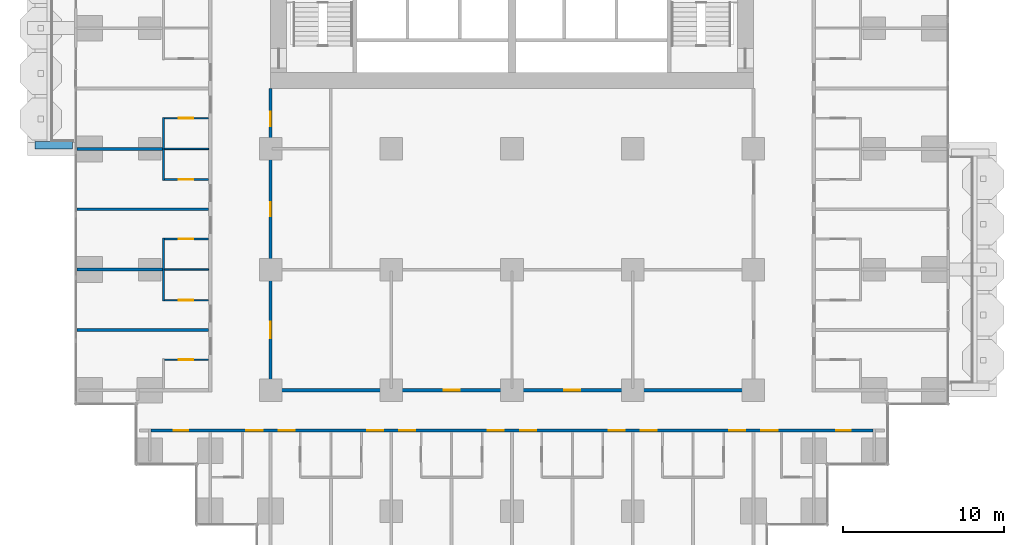
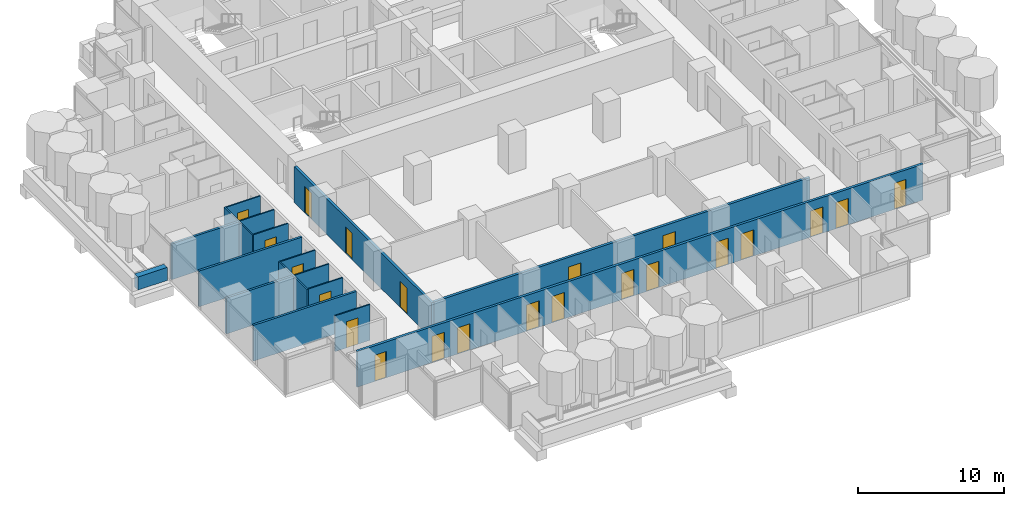
# One storey, part 10 of 18: 22 doors, 17 walls, 22 openings.
"""IFC4 building model written with IfcOpenShell, lengths in metres."""

from ifc_helpers import new_model, si_unit, direction, frame, frame_2d, origin, place, context, subcontext, project, spatial, rectangle, extrude, material, layer, layer_set, type_object, element, fill, save


model = new_model("IFC4")

# Units and contexts
model_context = context("Model", 3, precision=1e-05, world=origin(), true_north=direction((0.0, 1.0)))
body_context = subcontext(model_context, "Body", "Model", "MODEL_VIEW")
ifc_project = project(units=[si_unit("LENGTHUNIT", "METRE"), si_unit("AREAUNIT", "SQUARE_METRE"), si_unit("VOLUMEUNIT", "CUBIC_METRE"), si_unit("PLANEANGLEUNIT", "RADIAN"), si_unit("MASSUNIT", "GRAM", prefix="KILO")], contexts=[model_context])

# Site, building, storey
site_placement = place(None, origin())
site = spatial("IfcSite", under=ifc_project, at=site_placement, CompositionType="ELEMENT")
building_placement = place(site_placement, origin())
building = spatial("IfcBuilding", under=site, at=building_placement, Name="Pilkhan Gate Tower", CompositionType="ELEMENT")
storey_placement = place(building_placement, frame((0.0, 0.0, 42.800048828125)))
storey = spatial("IfcBuildingStorey", under=building, at=storey_placement, Name="L07", CompositionType="ELEMENT", Elevation=42.800048828125)

# Walls
ifc_material_1 = material(Name="Dense blockwork", Category="masonry")
ifc_layer_1 = layer(ifc_material_1, 0.175048828125)
ifc_layer_set_1 = layer_set([ifc_layer_1], Name="Acoustic party wall PW175")
wall_type_1 = type_object("IfcWallType", Name="Acoustic party wall PW175", PredefinedType="PARTITIONING", material=ifc_layer_set_1)
wall_1_placement = place(storey_placement, frame((47.985107421875, 56.25, 0.0), z_axis=(0.0, 0.0, 1.0), x_axis=(1.0, 0.0, 0.0)))
element("IfcWall", 1, at=wall_1_placement, inside=storey, type_object=wall_type_1, Name="Partition L07", PredefinedType="PARTITIONING", context=body_context, shape_type="SweptSolid", body=[
    extrude(rectangle(XDim=8.164794921875, YDim=0.175048828125, at=frame_2d((4.08251953125, 0.0))), origin(), (0.0, 0.0, 1.0), 3.0),
])
wall_2_placement = place(storey_placement, frame((47.985107421875, 60.0, 0.0), z_axis=(0.0, 0.0, 1.0), x_axis=(1.0, 0.0, 0.0)))
element("IfcWall", 2, at=wall_2_placement, inside=storey, type_object=wall_type_1, Name="Partition L07", PredefinedType="PARTITIONING", context=body_context, shape_type="SweptSolid", body=[
    extrude(rectangle(XDim=5.31494140625, YDim=0.175048828125, at=frame_2d((2.657470703125, 0.0))), origin(), (0.0, 0.0, 1.0), 3.0),
])
wall_3_placement = place(storey_placement, frame((47.985107421875, 63.75, 0.0), z_axis=(0.0, 0.0, 1.0), x_axis=(1.0, 0.0, 0.0)))
element("IfcWall", 3, at=wall_3_placement, inside=storey, type_object=wall_type_1, Name="Partition L07", PredefinedType="PARTITIONING", context=body_context, shape_type="SweptSolid", body=[
    extrude(rectangle(XDim=8.164794921875, YDim=0.175048828125, at=frame_2d((4.08251953125, 0.0))), origin(), (0.0, 0.0, 1.0), 3.0),
])
wall_4_placement = place(storey_placement, frame((47.985107421875, 67.5, 0.0), z_axis=(0.0, 0.0, 1.0), x_axis=(1.0, 0.0, 0.0)))
element("IfcWall", 4, at=wall_4_placement, inside=storey, type_object=wall_type_1, Name="Partition L07", PredefinedType="PARTITIONING", context=body_context, shape_type="SweptSolid", body=[
    extrude(rectangle(XDim=5.31494140625, YDim=0.175048828125, at=frame_2d((2.657470703125, 0.0))), origin(), (0.0, 0.0, 1.0), 3.0),
])
ifc_material_2 = material(Name="Board-marked Concrete C40/50", Category="concrete")
ifc_layer_2 = layer(ifc_material_2, 0.449951171875)
ifc_layer_set_2 = layer_set([ifc_layer_2], Name="Balcony planter lip BL450")
wall_type_2 = type_object("IfcWallType", Name="Balcony planter lip BL450", PredefinedType="USERDEFINED", material=ifc_layer_set_2)
wall_5_placement = place(storey_placement, frame((47.679931640625, 67.72509765625, 0.0), z_axis=(0.0, 0.0, 1.0), x_axis=(-1.0, 0.0, 0.0)))
element("IfcWall", 5, at=wall_5_placement, inside=storey, type_object=wall_type_2, Name="Balcony planter L07 W", ObjectType="BALCONY PLANTER", PredefinedType="USERDEFINED", context=body_context, shape_type="SweptSolid", body=[
    extrude(rectangle(XDim=2.329833984375, YDim=0.449951171875, at=frame_2d((1.1650390625, 0.0))), origin(), (0.0, 0.0, 1.0), 1.099853515625),
])

# Wall, openings, doors
ifc_layer_3 = layer(ifc_material_1, 0.199951171875)
ifc_layer_set_3 = layer_set([ifc_layer_3], Name="Corridor wall FW200")
wall_type_3 = type_object("IfcWallType", Name="Corridor wall FW200", PredefinedType="PARTITIONING", material=ifc_layer_set_3)
wall_6_placement = place(storey_placement, frame((52.574951171875, 50.0, 0.0), z_axis=(0.0, 0.0, 1.0), x_axis=(1.0, 0.0, 0.0)))
wall_6 = element("IfcWall", 6, at=wall_6_placement, inside=storey, type_object=wall_type_3, Name="Partition L07", PredefinedType="PARTITIONING", context=body_context, shape_type="SweptSolid", body=[
    extrude(rectangle(XDim=44.85009765625, YDim=0.199951171875, at=frame_2d((22.425048828125, 0.0))), origin(), (0.0, 0.0, 1.0), 3.0),
])
opening_1_placement = place(wall_6_placement, frame((5.925048828125, 0.0, 0.0)))
opening_1 = element("IfcOpeningElement", 7, at=opening_1_placement, cuts=wall_6, Name="Opening L07-06", PredefinedType="OPENING", context=body_context, shape_type="SweptSolid", body=[
    extrude(rectangle(XDim=1.0, YDim=2.199951171875, at=frame_2d((0.5, 1.10009765625))), frame((0.0, 0.10986328125, 0.0), z_axis=(0.0, -1.0, 0.0), x_axis=(1.0, 0.0, 0.0)), (0.0, 0.0, 1.0), 0.219970703125),
])
opening_2_placement = place(wall_6_placement, frame((7.925048828125, 0.0, 0.0)))
opening_2 = element("IfcOpeningElement", 8, at=opening_2_placement, cuts=wall_6, Name="Opening L07-08", PredefinedType="OPENING", context=body_context, shape_type="SweptSolid", body=[
    extrude(rectangle(XDim=1.0, YDim=2.199951171875, at=frame_2d((0.5, 1.10009765625))), frame((0.0, 0.10986328125, 0.0), z_axis=(0.0, -1.0, 0.0), x_axis=(1.0, 0.0, 0.0)), (0.0, 0.0, 1.0), 0.219970703125),
])
opening_3_placement = place(wall_6_placement, frame((13.425048828125, 0.0, 0.0)))
opening_3 = element("IfcOpeningElement", 9, at=opening_3_placement, cuts=wall_6, Name="Opening L07-10", PredefinedType="OPENING", context=body_context, shape_type="SweptSolid", body=[
    extrude(rectangle(XDim=1.0, YDim=2.199951171875, at=frame_2d((0.5, 1.10009765625))), frame((0.0, 0.10986328125, 0.0), z_axis=(0.0, -1.0, 0.0), x_axis=(1.0, 0.0, 0.0)), (0.0, 0.0, 1.0), 0.219970703125),
])
opening_4_placement = place(wall_6_placement, frame((15.425048828125, 0.0, 0.0)))
opening_4 = element("IfcOpeningElement", 10, at=opening_4_placement, cuts=wall_6, Name="Opening L07-12", PredefinedType="OPENING", context=body_context, shape_type="SweptSolid", body=[
    extrude(rectangle(XDim=1.0, YDim=2.199951171875, at=frame_2d((0.5, 1.10009765625))), frame((0.0, 0.10986328125, 0.0), z_axis=(0.0, -1.0, 0.0), x_axis=(1.0, 0.0, 0.0)), (0.0, 0.0, 1.0), 0.219970703125),
])
opening_5_placement = place(wall_6_placement, frame((20.925048828125, 0.0, 0.0)))
opening_5 = element("IfcOpeningElement", 11, at=opening_5_placement, cuts=wall_6, Name="Opening L07-14", PredefinedType="OPENING", context=body_context, shape_type="SweptSolid", body=[
    extrude(rectangle(XDim=1.0, YDim=2.199951171875, at=frame_2d((0.5, 1.10009765625))), frame((0.0, 0.10986328125, 0.0), z_axis=(0.0, -1.0, 0.0), x_axis=(1.0, 0.0, 0.0)), (0.0, 0.0, 1.0), 0.219970703125),
])
opening_6_placement = place(wall_6_placement, frame((22.925048828125, 0.0, 0.0)))
opening_6 = element("IfcOpeningElement", 12, at=opening_6_placement, cuts=wall_6, Name="Opening L07-16", PredefinedType="OPENING", context=body_context, shape_type="SweptSolid", body=[
    extrude(rectangle(XDim=1.0, YDim=2.199951171875, at=frame_2d((0.5, 1.10009765625))), frame((0.0, 0.10986328125, 0.0), z_axis=(0.0, -1.0, 0.0), x_axis=(1.0, 0.0, 0.0)), (0.0, 0.0, 1.0), 0.219970703125),
])
opening_7_placement = place(wall_6_placement, frame((28.425048828125, 0.0, 0.0)))
opening_7 = element("IfcOpeningElement", 13, at=opening_7_placement, cuts=wall_6, Name="Opening L07-18", PredefinedType="OPENING", context=body_context, shape_type="SweptSolid", body=[
    extrude(rectangle(XDim=1.0, YDim=2.199951171875, at=frame_2d((0.5, 1.10009765625))), frame((0.0, 0.10986328125, 0.0), z_axis=(0.0, -1.0, 0.0), x_axis=(1.0, 0.0, 0.0)), (0.0, 0.0, 1.0), 0.219970703125),
])
opening_8_placement = place(wall_6_placement, frame((30.425048828125, 0.0, 0.0)))
opening_8 = element("IfcOpeningElement", 14, at=opening_8_placement, cuts=wall_6, Name="Opening L07-20", PredefinedType="OPENING", context=body_context, shape_type="SweptSolid", body=[
    extrude(rectangle(XDim=1.0, YDim=2.199951171875, at=frame_2d((0.5, 1.10009765625))), frame((0.0, 0.10986328125, 0.0), z_axis=(0.0, -1.0, 0.0), x_axis=(1.0, 0.0, 0.0)), (0.0, 0.0, 1.0), 0.219970703125),
])
opening_9_placement = place(wall_6_placement, frame((35.925048828125, 0.0, 0.0)))
opening_9 = element("IfcOpeningElement", 15, at=opening_9_placement, cuts=wall_6, Name="Opening L07-22", PredefinedType="OPENING", context=body_context, shape_type="SweptSolid", body=[
    extrude(rectangle(XDim=1.0, YDim=2.199951171875, at=frame_2d((0.5, 1.10009765625))), frame((0.0, 0.10986328125, 0.0), z_axis=(0.0, -1.0, 0.0), x_axis=(1.0, 0.0, 0.0)), (0.0, 0.0, 1.0), 0.219970703125),
])
opening_10_placement = place(wall_6_placement, frame((37.925048828125, 0.0, 0.0)))
opening_10 = element("IfcOpeningElement", 16, at=opening_10_placement, cuts=wall_6, Name="Opening L07-24", PredefinedType="OPENING", context=body_context, shape_type="SweptSolid", body=[
    extrude(rectangle(XDim=1.0, YDim=2.199951171875, at=frame_2d((0.5, 1.10009765625))), frame((0.0, 0.10986328125, 0.0), z_axis=(0.0, -1.0, 0.0), x_axis=(1.0, 0.0, 0.0)), (0.0, 0.0, 1.0), 0.219970703125),
])
opening_11_placement = place(wall_6_placement, frame((1.39990234375, 0.0, 0.0)))
opening_11 = element("IfcOpeningElement", 17, at=opening_11_placement, cuts=wall_6, Name="Opening L07-63", PredefinedType="OPENING", context=body_context, shape_type="SweptSolid", body=[
    extrude(rectangle(XDim=0.89990234375, YDim=2.199951171875, at=frame_2d((0.449951171875, 1.10009765625))), frame((0.0, 0.10986328125, 0.0), z_axis=(0.0, -1.0, 0.0), x_axis=(1.0, 0.0, 0.0)), (0.0, 0.0, 1.0), 0.219970703125),
])
opening_12_placement = place(wall_6_placement, frame((42.574951171875, 0.0, 0.0)))
opening_12 = element("IfcOpeningElement", 18, at=opening_12_placement, cuts=wall_6, Name="Opening L07-64", PredefinedType="OPENING", context=body_context, shape_type="SweptSolid", body=[
    extrude(rectangle(XDim=0.89990234375, YDim=2.199951171875, at=frame_2d((0.449951171875, 1.10009765625))), frame((0.0, 0.10986328125, 0.0), z_axis=(0.0, -1.0, 0.0), x_axis=(1.0, 0.0, 0.0)), (0.0, 0.0, 1.0), 0.219970703125),
])
ifc_material_3 = material(Name="Timber flush door, 30 minute fire resisting", Category="wood")
door_type_1 = type_object("IfcDoorType", Name="Guest room door D01 1000x2200", OperationType="SINGLE_SWING_LEFT", PredefinedType="DOOR", material=ifc_material_3)
door_1_placement = place(opening_1_placement, origin())
door_1 = element("IfcDoor", 19, at=door_1_placement, inside=storey, type_object=door_type_1, Name="Guest room door", OperationType="SINGLE_SWING_LEFT", OverallHeight=2.199951171875, OverallWidth=1.0, PredefinedType="DOOR", context=body_context, shape_type="SweptSolid", body=[
    extrude(rectangle(XDim=1.0, YDim=2.199951171875, at=frame_2d((0.5, 1.10009765625))), frame((0.0, 0.02490234375, 0.0), z_axis=(0.0, -1.0, 0.0), x_axis=(1.0, 0.0, 0.0)), (0.0, 0.0, 1.0), 0.050048828125),
])
fill(opening_1, door_1)
door_2_placement = place(opening_2_placement, origin())
door_2 = element("IfcDoor", 20, at=door_2_placement, inside=storey, type_object=door_type_1, Name="Guest room door", OperationType="SINGLE_SWING_LEFT", OverallHeight=2.199951171875, OverallWidth=1.0, PredefinedType="DOOR", context=body_context, shape_type="SweptSolid", body=[
    extrude(rectangle(XDim=1.0, YDim=2.199951171875, at=frame_2d((0.5, 1.10009765625))), frame((0.0, 0.02490234375, 0.0), z_axis=(0.0, -1.0, 0.0), x_axis=(1.0, 0.0, 0.0)), (0.0, 0.0, 1.0), 0.050048828125),
])
fill(opening_2, door_2)
door_3_placement = place(opening_3_placement, origin())
door_3 = element("IfcDoor", 21, at=door_3_placement, inside=storey, type_object=door_type_1, Name="Guest room door", OperationType="SINGLE_SWING_LEFT", OverallHeight=2.199951171875, OverallWidth=1.0, PredefinedType="DOOR", context=body_context, shape_type="SweptSolid", body=[
    extrude(rectangle(XDim=1.0, YDim=2.199951171875, at=frame_2d((0.5, 1.10009765625))), frame((0.0, 0.02490234375, 0.0), z_axis=(0.0, -1.0, 0.0), x_axis=(1.0, 0.0, 0.0)), (0.0, 0.0, 1.0), 0.050048828125),
])
fill(opening_3, door_3)
door_4_placement = place(opening_4_placement, origin())
door_4 = element("IfcDoor", 22, at=door_4_placement, inside=storey, type_object=door_type_1, Name="Guest room door", OperationType="SINGLE_SWING_LEFT", OverallHeight=2.199951171875, OverallWidth=1.0, PredefinedType="DOOR", context=body_context, shape_type="SweptSolid", body=[
    extrude(rectangle(XDim=1.0, YDim=2.199951171875, at=frame_2d((0.5, 1.10009765625))), frame((0.0, 0.02490234375, 0.0), z_axis=(0.0, -1.0, 0.0), x_axis=(1.0, 0.0, 0.0)), (0.0, 0.0, 1.0), 0.050048828125),
])
fill(opening_4, door_4)
door_5_placement = place(opening_5_placement, origin())
door_5 = element("IfcDoor", 23, at=door_5_placement, inside=storey, type_object=door_type_1, Name="Guest room door", OperationType="SINGLE_SWING_LEFT", OverallHeight=2.199951171875, OverallWidth=1.0, PredefinedType="DOOR", context=body_context, shape_type="SweptSolid", body=[
    extrude(rectangle(XDim=1.0, YDim=2.199951171875, at=frame_2d((0.5, 1.10009765625))), frame((0.0, 0.02490234375, 0.0), z_axis=(0.0, -1.0, 0.0), x_axis=(1.0, 0.0, 0.0)), (0.0, 0.0, 1.0), 0.050048828125),
])
fill(opening_5, door_5)
door_6_placement = place(opening_6_placement, origin())
door_6 = element("IfcDoor", 24, at=door_6_placement, inside=storey, type_object=door_type_1, Name="Guest room door", OperationType="SINGLE_SWING_LEFT", OverallHeight=2.199951171875, OverallWidth=1.0, PredefinedType="DOOR", context=body_context, shape_type="SweptSolid", body=[
    extrude(rectangle(XDim=1.0, YDim=2.199951171875, at=frame_2d((0.5, 1.10009765625))), frame((0.0, 0.02490234375, 0.0), z_axis=(0.0, -1.0, 0.0), x_axis=(1.0, 0.0, 0.0)), (0.0, 0.0, 1.0), 0.050048828125),
])
fill(opening_6, door_6)
door_7_placement = place(opening_7_placement, origin())
door_7 = element("IfcDoor", 25, at=door_7_placement, inside=storey, type_object=door_type_1, Name="Guest room door", OperationType="SINGLE_SWING_LEFT", OverallHeight=2.199951171875, OverallWidth=1.0, PredefinedType="DOOR", context=body_context, shape_type="SweptSolid", body=[
    extrude(rectangle(XDim=1.0, YDim=2.199951171875, at=frame_2d((0.5, 1.10009765625))), frame((0.0, 0.02490234375, 0.0), z_axis=(0.0, -1.0, 0.0), x_axis=(1.0, 0.0, 0.0)), (0.0, 0.0, 1.0), 0.050048828125),
])
fill(opening_7, door_7)
door_8_placement = place(opening_8_placement, origin())
door_8 = element("IfcDoor", 26, at=door_8_placement, inside=storey, type_object=door_type_1, Name="Guest room door", OperationType="SINGLE_SWING_RIGHT", OverallHeight=2.199951171875, OverallWidth=1.0, PredefinedType="DOOR", context=body_context, shape_type="SweptSolid", body=[
    extrude(rectangle(XDim=1.0, YDim=2.199951171875, at=frame_2d((0.5, 1.10009765625))), frame((0.0, 0.02490234375, 0.0), z_axis=(0.0, -1.0, 0.0), x_axis=(1.0, 0.0, 0.0)), (0.0, 0.0, 1.0), 0.050048828125),
])
fill(opening_8, door_8)
door_9_placement = place(opening_9_placement, origin())
door_9 = element("IfcDoor", 27, at=door_9_placement, inside=storey, type_object=door_type_1, Name="Guest room door", OperationType="SINGLE_SWING_LEFT", OverallHeight=2.199951171875, OverallWidth=1.0, PredefinedType="DOOR", context=body_context, shape_type="SweptSolid", body=[
    extrude(rectangle(XDim=1.0, YDim=2.199951171875, at=frame_2d((0.5, 1.10009765625))), frame((0.0, 0.02490234375, 0.0), z_axis=(0.0, -1.0, 0.0), x_axis=(1.0, 0.0, 0.0)), (0.0, 0.0, 1.0), 0.050048828125),
])
fill(opening_9, door_9)
door_10_placement = place(opening_10_placement, origin())
door_10 = element("IfcDoor", 28, at=door_10_placement, inside=storey, type_object=door_type_1, Name="Guest room door", OperationType="SINGLE_SWING_LEFT", OverallHeight=2.199951171875, OverallWidth=1.0, PredefinedType="DOOR", context=body_context, shape_type="SweptSolid", body=[
    extrude(rectangle(XDim=1.0, YDim=2.199951171875, at=frame_2d((0.5, 1.10009765625))), frame((0.0, 0.02490234375, 0.0), z_axis=(0.0, -1.0, 0.0), x_axis=(1.0, 0.0, 0.0)), (0.0, 0.0, 1.0), 0.050048828125),
])
fill(opening_10, door_10)
ifc_material_4 = material(Name="Timber flush door, 60 minute fire resisting, self-closing", Category="wood")
door_type_2 = type_object("IfcDoorType", Name="Store door D05 900x2200", OperationType="SINGLE_SWING_LEFT", PredefinedType="DOOR", material=ifc_material_4)
door_11_placement = place(opening_11_placement, origin())
door_11 = element("IfcDoor", 29, at=door_11_placement, inside=storey, type_object=door_type_2, Name="Store door", OperationType="SINGLE_SWING_RIGHT", OverallHeight=2.199951171875, OverallWidth=0.89990234375, PredefinedType="DOOR", context=body_context, shape_type="SweptSolid", body=[
    extrude(rectangle(XDim=0.89990234375, YDim=2.199951171875, at=frame_2d((0.449951171875, 1.10009765625))), frame((0.0, 0.02490234375, 0.0), z_axis=(0.0, -1.0, 0.0), x_axis=(1.0, 0.0, 0.0)), (0.0, 0.0, 1.0), 0.050048828125),
])
fill(opening_11, door_11)
door_12_placement = place(opening_12_placement, origin())
door_12 = element("IfcDoor", 30, at=door_12_placement, inside=storey, type_object=door_type_2, Name="Store door", OperationType="SINGLE_SWING_LEFT", OverallHeight=2.199951171875, OverallWidth=0.89990234375, PredefinedType="DOOR", context=body_context, shape_type="SweptSolid", body=[
    extrude(rectangle(XDim=0.89990234375, YDim=2.199951171875, at=frame_2d((0.449951171875, 1.10009765625))), frame((0.0, 0.02490234375, 0.0), z_axis=(0.0, -1.0, 0.0), x_axis=(1.0, 0.0, 0.0)), (0.0, 0.0, 1.0), 0.050048828125),
])
fill(opening_12, door_12)

wall_7_placement = place(storey_placement, frame((60.10009765625, 52.5, 0.0), z_axis=(0.0, 0.0, 1.0), x_axis=(1.0, 0.0, 0.0)))
wall_7 = element("IfcWall", 31, at=wall_7_placement, inside=storey, type_object=wall_type_3, Name="Partition L07", PredefinedType="PARTITIONING", context=body_context, shape_type="SweptSolid", body=[
    extrude(rectangle(XDim=29.7998046875, YDim=0.199951171875, at=frame_2d((14.89990234375, 0.0))), origin(), (0.0, 0.0, 1.0), 3.0),
])
opening_13_placement = place(wall_7_placement, frame((10.64990234375, 0.0, 0.0)))
opening_13 = element("IfcOpeningElement", 32, at=opening_13_placement, cuts=wall_7, Name="Opening L07-68", PredefinedType="OPENING", context=body_context, shape_type="SweptSolid", body=[
    extrude(rectangle(XDim=1.0, YDim=2.199951171875, at=frame_2d((0.5, 1.10009765625))), frame((0.0, 0.10986328125, 0.0), z_axis=(0.0, -1.0, 0.0), x_axis=(1.0, 0.0, 0.0)), (0.0, 0.0, 1.0), 0.219970703125),
])
opening_14_placement = place(wall_7_placement, frame((18.14990234375, 0.0, 0.0)))
opening_14 = element("IfcOpeningElement", 33, at=opening_14_placement, cuts=wall_7, Name="Opening L07-69", PredefinedType="OPENING", context=body_context, shape_type="SweptSolid", body=[
    extrude(rectangle(XDim=1.0, YDim=2.199951171875, at=frame_2d((0.5, 1.10009765625))), frame((0.0, 0.10986328125, 0.0), z_axis=(0.0, -1.0, 0.0), x_axis=(1.0, 0.0, 0.0)), (0.0, 0.0, 1.0), 0.219970703125),
])
door_type_3 = type_object("IfcDoorType", Name="Room door D03 1000x2200", OperationType="SINGLE_SWING_LEFT", PredefinedType="DOOR", material=ifc_material_3)
door_13_placement = place(opening_13_placement, origin())
door_13 = element("IfcDoor", 34, at=door_13_placement, inside=storey, type_object=door_type_3, Name="Room door", OperationType="SINGLE_SWING_LEFT", OverallHeight=2.199951171875, OverallWidth=1.0, PredefinedType="DOOR", context=body_context, shape_type="SweptSolid", body=[
    extrude(rectangle(XDim=1.0, YDim=2.199951171875, at=frame_2d((0.5, 1.10009765625))), frame((0.0, 0.02490234375, 0.0), z_axis=(0.0, -1.0, 0.0), x_axis=(1.0, 0.0, 0.0)), (0.0, 0.0, 1.0), 0.050048828125),
])
fill(opening_13, door_13)
door_14_placement = place(opening_14_placement, origin())
door_14 = element("IfcDoor", 35, at=door_14_placement, inside=storey, type_object=door_type_3, Name="Room door", OperationType="SINGLE_SWING_LEFT", OverallHeight=2.199951171875, OverallWidth=1.0, PredefinedType="DOOR", context=body_context, shape_type="SweptSolid", body=[
    extrude(rectangle(XDim=1.0, YDim=2.199951171875, at=frame_2d((0.5, 1.10009765625))), frame((0.0, 0.02490234375, 0.0), z_axis=(0.0, -1.0, 0.0), x_axis=(1.0, 0.0, 0.0)), (0.0, 0.0, 1.0), 0.050048828125),
])
fill(opening_14, door_14)

wall_8_placement = place(storey_placement, frame((60.0, 52.39990234375, 0.0), z_axis=(0.0, 0.0, 1.0), x_axis=(0.0, 1.0, 0.0)))
wall_8 = element("IfcWall", 36, at=wall_8_placement, inside=storey, type_object=wall_type_3, Name="Partition L07", PredefinedType="PARTITIONING", context=body_context, shape_type="SweptSolid", body=[
    extrude(rectangle(XDim=18.840087890625, YDim=0.199951171875, at=frame_2d((9.419921875, 0.0))), origin(), (0.0, 0.0, 1.0), 3.0),
])
opening_15_placement = place(wall_8_placement, frame((3.35009765625, 0.0, 0.0)))
opening_15 = element("IfcOpeningElement", 37, at=opening_15_placement, cuts=wall_8, Name="Opening L07-67", PredefinedType="OPENING", context=body_context, shape_type="SweptSolid", body=[
    extrude(rectangle(XDim=1.0, YDim=2.199951171875, at=frame_2d((0.5, 1.10009765625))), frame((0.0, 0.10986328125, 0.0), z_axis=(0.0, -1.0, 0.0), x_axis=(1.0, 0.0, 0.0)), (0.0, 0.0, 1.0), 0.219970703125),
])
opening_16_placement = place(wall_8_placement, frame((10.89990234375, 0.0, 0.0)))
opening_16 = element("IfcOpeningElement", 38, at=opening_16_placement, cuts=wall_8, Name="Opening L07-71", PredefinedType="OPENING", context=body_context, shape_type="SweptSolid", body=[
    extrude(rectangle(XDim=0.89990234375, YDim=2.199951171875, at=frame_2d((0.449951171875, 1.10009765625))), frame((0.0, 0.10986328125, 0.0), z_axis=(0.0, -1.0, 0.0), x_axis=(1.0, 0.0, 0.0)), (0.0, 0.0, 1.0), 0.219970703125),
])
opening_17_placement = place(wall_8_placement, frame((16.5, 0.0, 0.0)))
opening_17 = element("IfcOpeningElement", 39, at=opening_17_placement, cuts=wall_8, Name="Opening L07-72", PredefinedType="OPENING", context=body_context, shape_type="SweptSolid", body=[
    extrude(rectangle(XDim=0.89990234375, YDim=2.199951171875, at=frame_2d((0.449951171875, 1.10009765625))), frame((0.0, 0.10986328125, 0.0), z_axis=(0.0, -1.0, 0.0), x_axis=(1.0, 0.0, 0.0)), (0.0, 0.0, 1.0), 0.219970703125),
])
door_15_placement = place(opening_15_placement, origin())
door_15 = element("IfcDoor", 40, at=door_15_placement, inside=storey, type_object=door_type_3, Name="Room door", OperationType="SINGLE_SWING_LEFT", OverallHeight=2.199951171875, OverallWidth=1.0, PredefinedType="DOOR", context=body_context, shape_type="SweptSolid", body=[
    extrude(rectangle(XDim=1.0, YDim=2.199951171875, at=frame_2d((0.5, 1.10009765625))), frame((0.0, 0.02490234375, 0.0), z_axis=(0.0, -1.0, 0.0), x_axis=(1.0, 0.0, 0.0)), (0.0, 0.0, 1.0), 0.050048828125),
])
fill(opening_15, door_15)
door_16_placement = place(opening_16_placement, origin())
door_16 = element("IfcDoor", 41, at=door_16_placement, inside=storey, type_object=door_type_2, Name="Store door", OperationType="SINGLE_SWING_LEFT", OverallHeight=2.199951171875, OverallWidth=0.89990234375, PredefinedType="DOOR", context=body_context, shape_type="SweptSolid", body=[
    extrude(rectangle(XDim=0.89990234375, YDim=2.199951171875, at=frame_2d((0.449951171875, 1.10009765625))), frame((0.0, 0.02490234375, 0.0), z_axis=(0.0, -1.0, 0.0), x_axis=(1.0, 0.0, 0.0)), (0.0, 0.0, 1.0), 0.050048828125),
])
fill(opening_16, door_16)
door_17_placement = place(opening_17_placement, origin())
door_17 = element("IfcDoor", 42, at=door_17_placement, inside=storey, type_object=door_type_2, Name="Store door", OperationType="SINGLE_SWING_LEFT", OverallHeight=2.199951171875, OverallWidth=0.89990234375, PredefinedType="DOOR", context=body_context, shape_type="SweptSolid", body=[
    extrude(rectangle(XDim=0.89990234375, YDim=2.199951171875, at=frame_2d((0.449951171875, 1.10009765625))), frame((0.0, 0.02490234375, 0.0), z_axis=(0.0, -1.0, 0.0), x_axis=(1.0, 0.0, 0.0)), (0.0, 0.0, 1.0), 0.050048828125),
])
fill(opening_17, door_17)

# Wall, opening, door
ifc_material_5 = material(Name="Moisture resistant board, tiled")
ifc_layer_4 = layer(ifc_material_5, 0.10009765625)
ifc_layer_set_4 = layer_set([ifc_layer_4], Name="Wet wall PW100")
wall_type_4 = type_object("IfcWallType", Name="Wet wall PW100", PredefinedType="PARTITIONING", material=ifc_layer_set_4)
wall_9_placement = place(storey_placement, frame((53.39990234375, 54.39990234375, 0.0), z_axis=(0.0, 0.0, 1.0), x_axis=(1.0, 0.0, 0.0)))
wall_9 = element("IfcWall", 43, at=wall_9_placement, inside=storey, type_object=wall_type_4, Name="Partition L07", PredefinedType="PARTITIONING", context=body_context, shape_type="SweptSolid", body=[
    extrude(rectangle(XDim=2.75, YDim=0.10009765625, at=frame_2d((1.375, 0.0))), origin(), (0.0, 0.0, 1.0), 3.0),
])
opening_18_placement = place(wall_9_placement, frame((0.89990234375, 0.0, 0.0)))
opening_18 = element("IfcOpeningElement", 44, at=opening_18_placement, cuts=wall_9, Name="Opening L07-27", PredefinedType="OPENING", context=body_context, shape_type="SweptSolid", body=[
    extrude(rectangle(XDim=0.89990234375, YDim=2.199951171875, at=frame_2d((0.449951171875, 1.10009765625))), frame((0.0, 0.06005859375, 0.0), z_axis=(0.0, -1.0, 0.0), x_axis=(1.0, 0.0, 0.0)), (0.0, 0.0, 1.0), 0.1201171875),
])
ifc_material_6 = material(Name="Timber flush door", Category="wood")
door_type_4 = type_object("IfcDoorType", Name="Bathroom door D02 900x2200", OperationType="SINGLE_SWING_RIGHT", PredefinedType="DOOR", material=ifc_material_6)
door_18_placement = place(opening_18_placement, origin())
door_18 = element("IfcDoor", 45, at=door_18_placement, inside=storey, type_object=door_type_4, Name="Bathroom door", OperationType="SINGLE_SWING_RIGHT", OverallHeight=2.199951171875, OverallWidth=0.89990234375, PredefinedType="DOOR", context=body_context, shape_type="SweptSolid", body=[
    extrude(rectangle(XDim=0.89990234375, YDim=2.199951171875, at=frame_2d((0.449951171875, 1.10009765625))), frame((0.0, 0.02490234375, 0.0), z_axis=(0.0, -1.0, 0.0), x_axis=(1.0, 0.0, 0.0)), (0.0, 0.0, 1.0), 0.050048828125),
])
fill(opening_18, door_18)

wall_10_placement = place(storey_placement, frame((53.39990234375, 58.10009765625, 0.0), z_axis=(0.0, 0.0, 1.0), x_axis=(1.0, 0.0, 0.0)))
wall_10 = element("IfcWall", 46, at=wall_10_placement, inside=storey, type_object=wall_type_4, Name="Partition L07", PredefinedType="PARTITIONING", context=body_context, shape_type="SweptSolid", body=[
    extrude(rectangle(XDim=2.75, YDim=0.10009765625, at=frame_2d((1.375, 0.0))), origin(), (0.0, 0.0, 1.0), 3.0),
])
opening_19_placement = place(wall_10_placement, frame((0.89990234375, 0.0, 0.0)))
opening_19 = element("IfcOpeningElement", 47, at=opening_19_placement, cuts=wall_10, Name="Opening L07-29", PredefinedType="OPENING", context=body_context, shape_type="SweptSolid", body=[
    extrude(rectangle(XDim=0.89990234375, YDim=2.199951171875, at=frame_2d((0.449951171875, 1.10009765625))), frame((0.0, 0.06005859375, 0.0), z_axis=(0.0, -1.0, 0.0), x_axis=(1.0, 0.0, 0.0)), (0.0, 0.0, 1.0), 0.1201171875),
])
door_19_placement = place(opening_19_placement, origin())
door_19 = element("IfcDoor", 48, at=door_19_placement, inside=storey, type_object=door_type_4, Name="Bathroom door", OperationType="SINGLE_SWING_RIGHT", OverallHeight=2.199951171875, OverallWidth=0.89990234375, PredefinedType="DOOR", context=body_context, shape_type="SweptSolid", body=[
    extrude(rectangle(XDim=0.89990234375, YDim=2.199951171875, at=frame_2d((0.449951171875, 1.10009765625))), frame((0.0, 0.02490234375, 0.0), z_axis=(0.0, -1.0, 0.0), x_axis=(1.0, 0.0, 0.0)), (0.0, 0.0, 1.0), 0.050048828125),
])
fill(opening_19, door_19)

# Wall
wall_11_placement = place(storey_placement, frame((53.39990234375, 60.0, 0.0), z_axis=(0.0, 0.0, 1.0), x_axis=(1.0, 0.0, 0.0)))
element("IfcWall", 49, at=wall_11_placement, inside=storey, type_object=wall_type_4, Name="Partition L07", PredefinedType="PARTITIONING", context=body_context, shape_type="SweptSolid", body=[
    extrude(rectangle(XDim=2.75, YDim=0.10009765625, at=frame_2d((1.375, 0.0))), origin(), (0.0, 0.0, 1.0), 3.0),
])

# Wall, opening, door
wall_12_placement = place(storey_placement, frame((53.39990234375, 61.89990234375, 0.0), z_axis=(0.0, 0.0, 1.0), x_axis=(1.0, 0.0, 0.0)))
wall_12 = element("IfcWall", 50, at=wall_12_placement, inside=storey, type_object=wall_type_4, Name="Partition L07", PredefinedType="PARTITIONING", context=body_context, shape_type="SweptSolid", body=[
    extrude(rectangle(XDim=2.75, YDim=0.10009765625, at=frame_2d((1.375, 0.0))), origin(), (0.0, 0.0, 1.0), 3.0),
])
opening_20_placement = place(wall_12_placement, frame((0.89990234375, 0.0, 0.0)))
opening_20 = element("IfcOpeningElement", 51, at=opening_20_placement, cuts=wall_12, Name="Opening L07-31", PredefinedType="OPENING", context=body_context, shape_type="SweptSolid", body=[
    extrude(rectangle(XDim=0.89990234375, YDim=2.199951171875, at=frame_2d((0.449951171875, 1.10009765625))), frame((0.0, 0.06005859375, 0.0), z_axis=(0.0, -1.0, 0.0), x_axis=(1.0, 0.0, 0.0)), (0.0, 0.0, 1.0), 0.1201171875),
])
door_20_placement = place(opening_20_placement, origin())
door_20 = element("IfcDoor", 52, at=door_20_placement, inside=storey, type_object=door_type_4, Name="Bathroom door", OperationType="SINGLE_SWING_RIGHT", OverallHeight=2.199951171875, OverallWidth=0.89990234375, PredefinedType="DOOR", context=body_context, shape_type="SweptSolid", body=[
    extrude(rectangle(XDim=0.89990234375, YDim=2.199951171875, at=frame_2d((0.449951171875, 1.10009765625))), frame((0.0, 0.02490234375, 0.0), z_axis=(0.0, -1.0, 0.0), x_axis=(1.0, 0.0, 0.0)), (0.0, 0.0, 1.0), 0.050048828125),
])
fill(opening_20, door_20)

wall_13_placement = place(storey_placement, frame((53.39990234375, 65.60009765625, 0.0), z_axis=(0.0, 0.0, 1.0), x_axis=(1.0, 0.0, 0.0)))
wall_13 = element("IfcWall", 53, at=wall_13_placement, inside=storey, type_object=wall_type_4, Name="Partition L07", PredefinedType="PARTITIONING", context=body_context, shape_type="SweptSolid", body=[
    extrude(rectangle(XDim=2.75, YDim=0.10009765625, at=frame_2d((1.375, 0.0))), origin(), (0.0, 0.0, 1.0), 3.0),
])
opening_21_placement = place(wall_13_placement, frame((0.89990234375, 0.0, 0.0)))
opening_21 = element("IfcOpeningElement", 54, at=opening_21_placement, cuts=wall_13, Name="Opening L07-33", PredefinedType="OPENING", context=body_context, shape_type="SweptSolid", body=[
    extrude(rectangle(XDim=0.89990234375, YDim=2.199951171875, at=frame_2d((0.449951171875, 1.10009765625))), frame((0.0, 0.06005859375, 0.0), z_axis=(0.0, -1.0, 0.0), x_axis=(1.0, 0.0, 0.0)), (0.0, 0.0, 1.0), 0.1201171875),
])
door_21_placement = place(opening_21_placement, origin())
door_21 = element("IfcDoor", 55, at=door_21_placement, inside=storey, type_object=door_type_4, Name="Bathroom door", OperationType="SINGLE_SWING_RIGHT", OverallHeight=2.199951171875, OverallWidth=0.89990234375, PredefinedType="DOOR", context=body_context, shape_type="SweptSolid", body=[
    extrude(rectangle(XDim=0.89990234375, YDim=2.199951171875, at=frame_2d((0.449951171875, 1.10009765625))), frame((0.0, 0.02490234375, 0.0), z_axis=(0.0, -1.0, 0.0), x_axis=(1.0, 0.0, 0.0)), (0.0, 0.0, 1.0), 0.050048828125),
])
fill(opening_21, door_21)

# Wall
wall_14_placement = place(storey_placement, frame((53.39990234375, 67.5, 0.0), z_axis=(0.0, 0.0, 1.0), x_axis=(1.0, 0.0, 0.0)))
element("IfcWall", 56, at=wall_14_placement, inside=storey, type_object=wall_type_4, Name="Partition L07", PredefinedType="PARTITIONING", context=body_context, shape_type="SweptSolid", body=[
    extrude(rectangle(XDim=2.75, YDim=0.10009765625, at=frame_2d((1.375, 0.0))), origin(), (0.0, 0.0, 1.0), 3.0),
])

# Wall, opening, door
wall_15_placement = place(storey_placement, frame((53.39990234375, 69.39990234375, 0.0), z_axis=(0.0, 0.0, 1.0), x_axis=(1.0, 0.0, 0.0)))
wall_15 = element("IfcWall", 57, at=wall_15_placement, inside=storey, type_object=wall_type_4, Name="Partition L07", PredefinedType="PARTITIONING", context=body_context, shape_type="SweptSolid", body=[
    extrude(rectangle(XDim=2.75, YDim=0.10009765625, at=frame_2d((1.375, 0.0))), origin(), (0.0, 0.0, 1.0), 3.0),
])
opening_22_placement = place(wall_15_placement, frame((0.89990234375, 0.0, 0.0)))
opening_22 = element("IfcOpeningElement", 58, at=opening_22_placement, cuts=wall_15, Name="Opening L07-35", PredefinedType="OPENING", context=body_context, shape_type="SweptSolid", body=[
    extrude(rectangle(XDim=0.89990234375, YDim=2.199951171875, at=frame_2d((0.449951171875, 1.10009765625))), frame((0.0, 0.06005859375, 0.0), z_axis=(0.0, -1.0, 0.0), x_axis=(1.0, 0.0, 0.0)), (0.0, 0.0, 1.0), 0.1201171875),
])
door_22_placement = place(opening_22_placement, origin())
door_22 = element("IfcDoor", 59, at=door_22_placement, inside=storey, type_object=door_type_4, Name="Bathroom door", OperationType="SINGLE_SWING_RIGHT", OverallHeight=2.199951171875, OverallWidth=0.89990234375, PredefinedType="DOOR", context=body_context, shape_type="SweptSolid", body=[
    extrude(rectangle(XDim=0.89990234375, YDim=2.199951171875, at=frame_2d((0.449951171875, 1.10009765625))), frame((0.0, 0.02490234375, 0.0), z_axis=(0.0, -1.0, 0.0), x_axis=(1.0, 0.0, 0.0)), (0.0, 0.0, 1.0), 0.050048828125),
])
fill(opening_22, door_22)

# Walls
for number, where, z_axis, x_axis, name in (
    (60, (53.35009765625, 58.050048828125, 0.0), (0.0, 0.0, 1.0), (0.0, 1.0, 0.0), "Partition L07"),
    (61, (53.35009765625, 65.550048828125, 0.0), (0.0, 0.0, 1.0), (0.0, 1.0, 0.0), "Partition L07"),
):
    element("IfcWall", number, at=place(storey_placement, frame(where, z_axis=z_axis, x_axis=x_axis)), inside=storey, type_object=wall_type_4, Name=name, PredefinedType="PARTITIONING", context=body_context, shape_type="SweptSolid", body=[
        extrude(rectangle(XDim=3.89990234375, YDim=0.10009765625, at=frame_2d((1.949951171875, 0.0))), origin(), (0.0, 0.0, 1.0), 3.0),
    ])

save(model, "model.ifc")
